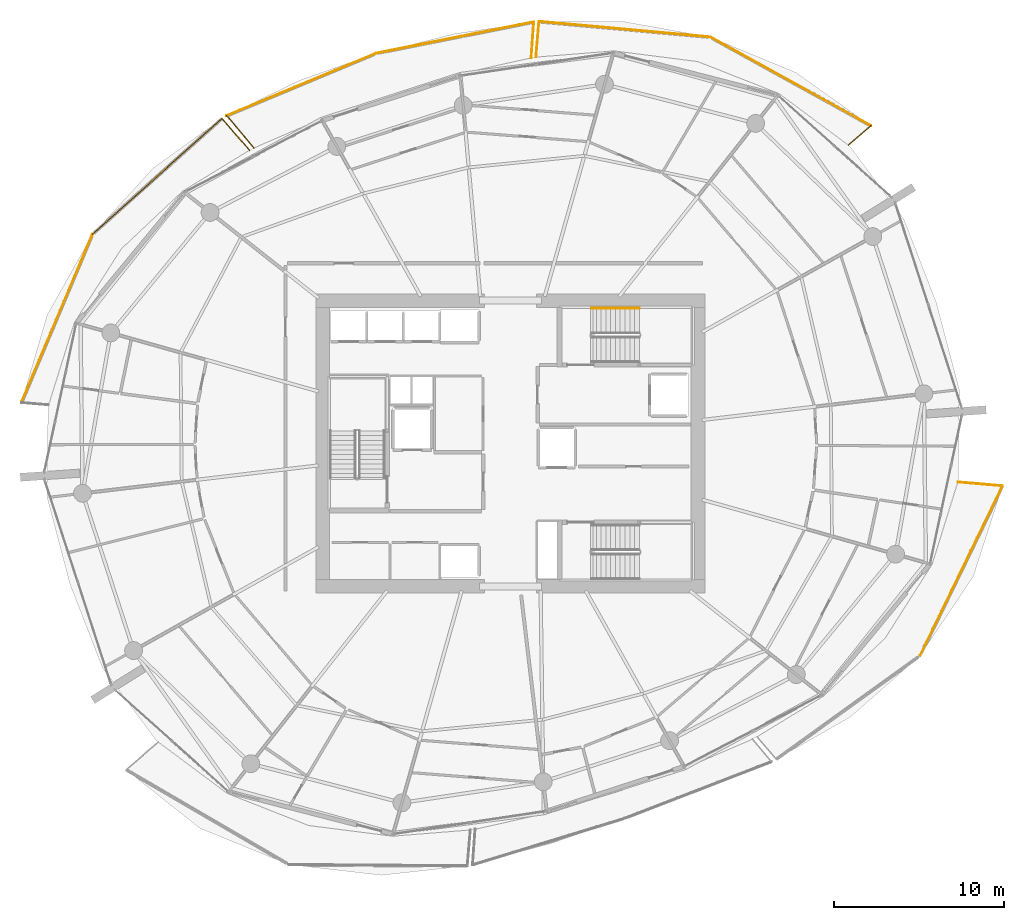
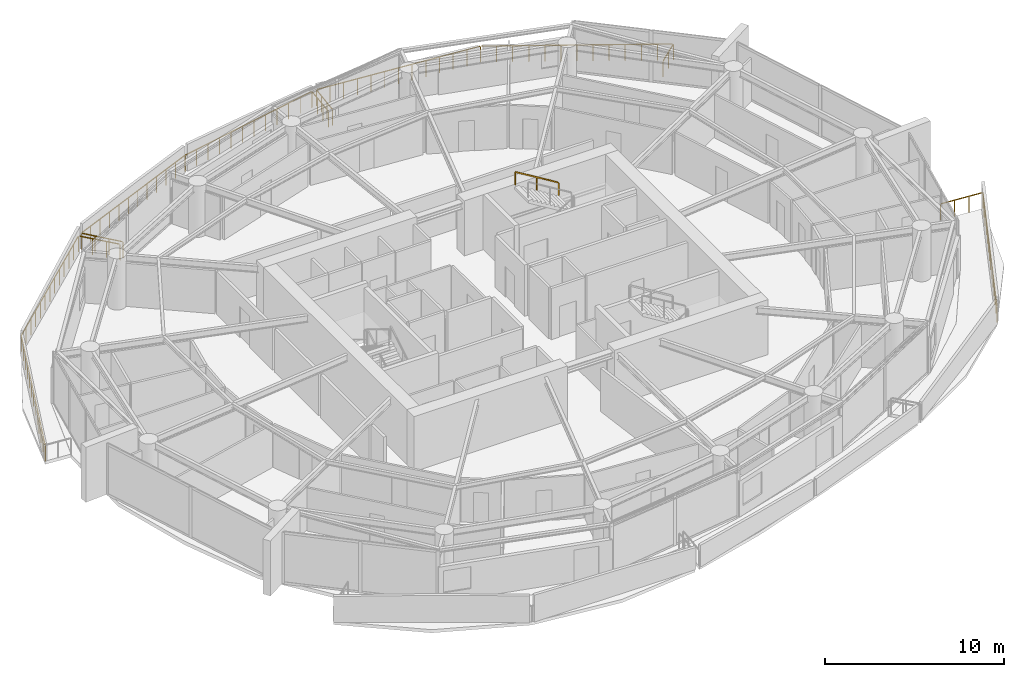
# One storey, part 20 of 20: 14 railings.
"""IFC4 building model written with IfcOpenShell, lengths in metres."""

from ifc_helpers import new_model, si_unit, direction, frame, origin, origin_2d, place, context, subcontext, project, spatial, rectangle, extrude, material, type_object, element, save


model = new_model("IFC4")

# Units and contexts
model_context = context("Model", 3, precision=1e-05, world=origin(), true_north=direction((0.0, 1.0)))
body_context = subcontext(model_context, "Body", "Model", "MODEL_VIEW")
ifc_project = project(units=[si_unit("LENGTHUNIT", "METRE"), si_unit("AREAUNIT", "SQUARE_METRE"), si_unit("VOLUMEUNIT", "CUBIC_METRE"), si_unit("PLANEANGLEUNIT", "RADIAN"), si_unit("MASSUNIT", "GRAM", prefix="KILO")], contexts=[model_context])

# Site, building, storey
site_placement = place(None, origin())
site = spatial("IfcSite", under=ifc_project, at=site_placement, CompositionType="ELEMENT")
building_placement = place(site_placement, origin())
building = spatial("IfcBuilding", under=site, at=building_placement, Name="Kazma Halo Residences", CompositionType="ELEMENT")
storey_placement = place(building_placement, frame((0.0, 0.0, 150.300048828125)))
storey = spatial("IfcBuildingStorey", under=building, at=storey_placement, Name="L37", CompositionType="ELEMENT", Elevation=150.300048828125)

# Railings
ifc_material_1 = material(Name="Aluminium AW-6063 T6 Brushed Cap Rail", Category="aluminium")
railing_type_1 = type_object("IfcRailingType", Name="RLG-BAL-CAP-1120", PredefinedType="BALUSTRADE", material=ifc_material_1)
railing_1_placement = place(storey_placement, frame((68.294677734375, 59.548583984375, 0.0)))
element("IfcRailing", 1, at=railing_1_placement, inside=storey, type_object=railing_type_1, Name="L37 NE wave balcony guard 1", PredefinedType="BALUSTRADE", context=body_context, shape_type="SweptSolid", body=[
    extrude(rectangle(XDim=0.050048828125, YDim=0.050048828125, at=origin_2d()), frame((0.0322265625, 0.02783203125, 1.09521484375), z_axis=(0.756363172452, 0.654151932932, 0.0), x_axis=(-0.654151932932, 0.756363172452, 0.0)), (0.0, 0.0, 1.0), 1.65869140625),
    extrude(rectangle(XDim=0.0400390625, YDim=0.0400390625, at=origin_2d()), origin(), (0.0, 0.0, 1.0), 1.05810546875),
    extrude(rectangle(XDim=0.0400390625, YDim=0.0400390625, at=origin_2d()), frame((0.659423828125, 0.5703125, 0.0)), (0.0, 0.0, 1.0), 1.05810546875),
    extrude(rectangle(XDim=0.0400390625, YDim=0.0400390625, at=origin_2d()), frame((1.31884765625, 1.140625, 0.0)), (0.0, 0.0, 1.0), 1.05810546875),
])
railing_2_placement = place(storey_placement, frame((69.613525390625, 60.689208984375, 0.0)))
element("IfcRailing", 2, at=railing_2_placement, inside=storey, type_object=railing_type_1, Name="L37 NE wave balcony guard 2", PredefinedType="BALUSTRADE", context=body_context, shape_type="SweptSolid", body=[
    extrude(rectangle(XDim=0.050048828125, YDim=0.050048828125, at=origin_2d()), frame((-0.037353515625, 0.0205078125, 1.09521484375), z_axis=(-0.875455426186, 0.483298868984, 0.0), x_axis=(-0.483298868984, -0.875455426186, 0.0)), (0.0, 0.0, 1.0), 10.69384765625),
    extrude(rectangle(XDim=0.0400390625, YDim=0.0400390625, at=origin_2d()), origin(), (0.0, 0.0, 1.0), 1.05810546875),
    extrude(rectangle(XDim=0.0400390625, YDim=0.0400390625, at=origin_2d()), frame((-0.786376953125, 0.43408203125, 0.0)), (0.0, 0.0, 1.0), 1.05810546875),
    extrude(rectangle(XDim=0.0400390625, YDim=0.0400390625, at=origin_2d()), frame((-1.57275390625, 0.8681640625, 0.0)), (0.0, 0.0, 1.0), 1.05810546875),
    extrude(rectangle(XDim=0.0400390625, YDim=0.0400390625, at=origin_2d()), frame((-2.359130859375, 1.30224609375, 0.0)), (0.0, 0.0, 1.0), 1.05810546875),
    extrude(rectangle(XDim=0.0400390625, YDim=0.0400390625, at=origin_2d()), frame((-3.1455078125, 1.736572265625, 0.0)), (0.0, 0.0, 1.0), 1.05810546875),
    extrude(rectangle(XDim=0.0400390625, YDim=0.0400390625, at=origin_2d()), frame((-3.931884765625, 2.170654296875, 0.0)), (0.0, 0.0, 1.0), 1.05810546875),
    extrude(rectangle(XDim=0.0400390625, YDim=0.0400390625, at=origin_2d()), frame((-4.71826171875, 2.604736328125, 0.0)), (0.0, 0.0, 1.0), 1.05810546875),
    extrude(rectangle(XDim=0.0400390625, YDim=0.0400390625, at=origin_2d()), frame((-5.504638671875, 3.038818359375, 0.0)), (0.0, 0.0, 1.0), 1.05810546875),
    extrude(rectangle(XDim=0.0400390625, YDim=0.0400390625, at=origin_2d()), frame((-6.291015625, 3.472900390625, 0.0)), (0.0, 0.0, 1.0), 1.05810546875),
    extrude(rectangle(XDim=0.0400390625, YDim=0.0400390625, at=origin_2d()), frame((-7.077392578125, 3.9072265625, 0.0)), (0.0, 0.0, 1.0), 1.05810546875),
    extrude(rectangle(XDim=0.0400390625, YDim=0.0400390625, at=origin_2d()), frame((-7.86376953125, 4.34130859375, 0.0)), (0.0, 0.0, 1.0), 1.05810546875),
    extrude(rectangle(XDim=0.0400390625, YDim=0.0400390625, at=origin_2d()), frame((-8.650146484375, 4.775390625, 0.0)), (0.0, 0.0, 1.0), 1.05810546875),
    extrude(rectangle(XDim=0.0400390625, YDim=0.0400390625, at=origin_2d()), frame((-9.4365234375, 5.20947265625, 0.0)), (0.0, 0.0, 1.0), 1.05810546875),
])
railing_3_placement = place(storey_placement, frame((60.177001953125, 65.898681640625, 0.0)))
element("IfcRailing", 3, at=railing_3_placement, inside=storey, type_object=railing_type_1, Name="L37 NE wave balcony guard 3", PredefinedType="BALUSTRADE", context=body_context, shape_type="SweptSolid", body=[
    extrude(rectangle(XDim=0.050048828125, YDim=0.050048828125, at=origin_2d()), frame((-0.04248046875, 0.00390625, 1.09521484375), z_axis=(-0.995911390997, 0.090335492925, 0.0), x_axis=(-0.090335492925, -0.995911390997, 0.0)), (0.0, 0.0, 1.0), 10.028076171875),
    extrude(rectangle(XDim=0.0400390625, YDim=0.0400390625, at=origin_2d()), origin(), (0.0, 0.0, 1.0), 1.05810546875),
    extrude(rectangle(XDim=0.0400390625, YDim=0.0400390625, at=origin_2d()), frame((-0.83935546875, 0.076171875, 0.0)), (0.0, 0.0, 1.0), 1.05810546875),
    extrude(rectangle(XDim=0.0400390625, YDim=0.0400390625, at=origin_2d()), frame((-1.6787109375, 0.15234375, 0.0)), (0.0, 0.0, 1.0), 1.05810546875),
    extrude(rectangle(XDim=0.0400390625, YDim=0.0400390625, at=origin_2d()), frame((-2.51806640625, 0.228515625, 0.0)), (0.0, 0.0, 1.0), 1.05810546875),
    extrude(rectangle(XDim=0.0400390625, YDim=0.0400390625, at=origin_2d()), frame((-3.357177734375, 0.304443359375, 0.0)), (0.0, 0.0, 1.0), 1.05810546875),
    extrude(rectangle(XDim=0.0400390625, YDim=0.0400390625, at=origin_2d()), frame((-4.196533203125, 0.380615234375, 0.0)), (0.0, 0.0, 1.0), 1.05810546875),
    extrude(rectangle(XDim=0.0400390625, YDim=0.0400390625, at=origin_2d()), frame((-5.035888671875, 0.456787109375, 0.0)), (0.0, 0.0, 1.0), 1.05810546875),
    extrude(rectangle(XDim=0.0400390625, YDim=0.0400390625, at=origin_2d()), frame((-5.875244140625, 0.532958984375, 0.0)), (0.0, 0.0, 1.0), 1.05810546875),
    extrude(rectangle(XDim=0.0400390625, YDim=0.0400390625, at=origin_2d()), frame((-6.714599609375, 0.609130859375, 0.0)), (0.0, 0.0, 1.0), 1.05810546875),
    extrude(rectangle(XDim=0.0400390625, YDim=0.0400390625, at=origin_2d()), frame((-7.5537109375, 0.68505859375, 0.0)), (0.0, 0.0, 1.0), 1.05810546875),
    extrude(rectangle(XDim=0.0400390625, YDim=0.0400390625, at=origin_2d()), frame((-8.39306640625, 0.76123046875, 0.0)), (0.0, 0.0, 1.0), 1.05810546875),
    extrude(rectangle(XDim=0.0400390625, YDim=0.0400390625, at=origin_2d()), frame((-9.232421875, 0.83740234375, 0.0)), (0.0, 0.0, 1.0), 1.05810546875),
    extrude(rectangle(XDim=0.0400390625, YDim=0.0400390625, at=origin_2d()), frame((-10.07177734375, 0.91357421875, 0.0)), (0.0, 0.0, 1.0), 1.05810546875),
])
railing_4_placement = place(storey_placement, frame((50.105224609375, 66.812255859375, 0.0)))
element("IfcRailing", 4, at=railing_4_placement, inside=storey, type_object=railing_type_1, Name="L37 NE wave balcony guard 4", PredefinedType="BALUSTRADE", context=body_context, shape_type="SweptSolid", body=[
    extrude(rectangle(XDim=0.050048828125, YDim=0.050048828125, at=origin_2d()), frame((-0.003662109375, -0.04248046875, 1.09521484375), z_axis=(-0.084431334239, -0.99642929995, 0.0), x_axis=(0.99642929995, -0.084431334239, 0.0)), (0.0, 0.0, 1.0), 2.01416015625),
    extrude(rectangle(XDim=0.0400390625, YDim=0.0400390625, at=origin_2d()), origin(), (0.0, 0.0, 1.0), 1.05810546875),
    extrude(rectangle(XDim=0.0400390625, YDim=0.0400390625, at=origin_2d()), frame((-0.05908203125, -0.697265625, 0.0)), (0.0, 0.0, 1.0), 1.05810546875),
    extrude(rectangle(XDim=0.0400390625, YDim=0.0400390625, at=origin_2d()), frame((-0.1181640625, -1.39453125, 0.0)), (0.0, 0.0, 1.0), 1.05810546875),
    extrude(rectangle(XDim=0.0400390625, YDim=0.0400390625, at=origin_2d()), frame((-0.17724609375, -2.091796875, 0.0)), (0.0, 0.0, 1.0), 1.05810546875),
])
railing_5_placement = place(storey_placement, frame((49.6455078125, 64.67822265625, 0.0)))
element("IfcRailing", 5, at=railing_5_placement, inside=storey, type_object=railing_type_1, Name="L37 NNW wave balcony guard 1", PredefinedType="BALUSTRADE", context=body_context, shape_type="SweptSolid", body=[
    extrude(rectangle(XDim=0.050048828125, YDim=0.050048828125, at=origin_2d()), frame((0.003173828125, 0.04248046875, 1.09521484375), z_axis=(0.0724124574, 0.997374772096, 0.0), x_axis=(-0.997374772096, 0.0724124574, 0.0)), (0.0, 0.0, 1.0), 2.02880859375),
    extrude(rectangle(XDim=0.0400390625, YDim=0.0400390625, at=origin_2d()), origin(), (0.0, 0.0, 1.0), 1.05810546875),
    extrude(rectangle(XDim=0.0400390625, YDim=0.0400390625, at=origin_2d()), frame((0.051025390625, 0.702880859375, 0.0)), (0.0, 0.0, 1.0), 1.05810546875),
    extrude(rectangle(XDim=0.0400390625, YDim=0.0400390625, at=origin_2d()), frame((0.10205078125, 1.405517578125, 0.0)), (0.0, 0.0, 1.0), 1.05810546875),
    extrude(rectangle(XDim=0.0400390625, YDim=0.0400390625, at=origin_2d()), frame((0.153076171875, 2.1083984375, 0.0)), (0.0, 0.0, 1.0), 1.05810546875),
])
railing_6_placement = place(storey_placement, frame((49.798583984375, 66.78662109375, 0.0)))
element("IfcRailing", 6, at=railing_6_placement, inside=storey, type_object=railing_type_1, Name="L37 NNW wave balcony guard 2", PredefinedType="BALUSTRADE", context=body_context, shape_type="SweptSolid", body=[
    extrude(rectangle(XDim=0.050048828125, YDim=0.050048828125, at=origin_2d()), frame((-0.041748046875, -0.00830078125, 1.09521484375), z_axis=(-0.980809889585, -0.194966562497, 0.0), x_axis=(0.194966562497, -0.980809889585, 0.0)), (0.0, 0.0, 1.0), 9.350341796875),
    extrude(rectangle(XDim=0.0400390625, YDim=0.0400390625, at=origin_2d()), origin(), (0.0, 0.0, 1.0), 1.05810546875),
    extrude(rectangle(XDim=0.0400390625, YDim=0.0400390625, at=origin_2d()), frame((-0.84130859375, -0.167236328125, 0.0)), (0.0, 0.0, 1.0), 1.05810546875),
    extrude(rectangle(XDim=0.0400390625, YDim=0.0400390625, at=origin_2d()), frame((-1.6826171875, -0.33447265625, 0.0)), (0.0, 0.0, 1.0), 1.05810546875),
    extrude(rectangle(XDim=0.0400390625, YDim=0.0400390625, at=origin_2d()), frame((-2.52392578125, -0.501708984375, 0.0)), (0.0, 0.0, 1.0), 1.05810546875),
    extrude(rectangle(XDim=0.0400390625, YDim=0.0400390625, at=origin_2d()), frame((-3.365234375, -0.6689453125, 0.0)), (0.0, 0.0, 1.0), 1.05810546875),
    extrude(rectangle(XDim=0.0400390625, YDim=0.0400390625, at=origin_2d()), frame((-4.20654296875, -0.836181640625, 0.0)), (0.0, 0.0, 1.0), 1.05810546875),
    extrude(rectangle(XDim=0.0400390625, YDim=0.0400390625, at=origin_2d()), frame((-5.0478515625, -1.00341796875, 0.0)), (0.0, 0.0, 1.0), 1.05810546875),
    extrude(rectangle(XDim=0.0400390625, YDim=0.0400390625, at=origin_2d()), frame((-5.88916015625, -1.170654296875, 0.0)), (0.0, 0.0, 1.0), 1.05810546875),
    extrude(rectangle(XDim=0.0400390625, YDim=0.0400390625, at=origin_2d()), frame((-6.73046875, -1.337890625, 0.0)), (0.0, 0.0, 1.0), 1.05810546875),
    extrude(rectangle(XDim=0.0400390625, YDim=0.0400390625, at=origin_2d()), frame((-7.57177734375, -1.505126953125, 0.0)), (0.0, 0.0, 1.0), 1.05810546875),
    extrude(rectangle(XDim=0.0400390625, YDim=0.0400390625, at=origin_2d()), frame((-8.4130859375, -1.67236328125, 0.0)), (0.0, 0.0, 1.0), 1.05810546875),
    extrude(rectangle(XDim=0.0400390625, YDim=0.0400390625, at=origin_2d()), frame((-9.25439453125, -1.839599609375, 0.0)), (0.0, 0.0, 1.0), 1.05810546875),
])
railing_7_placement = place(storey_placement, frame((40.544189453125, 64.947021484375, 0.0)))
element("IfcRailing", 7, at=railing_7_placement, inside=storey, type_object=railing_type_1, Name="L37 NNW wave balcony guard 3", PredefinedType="BALUSTRADE", context=body_context, shape_type="SweptSolid", body=[
    extrude(rectangle(XDim=0.050048828125, YDim=0.050048828125, at=origin_2d()), frame((-0.039306640625, -0.016357421875, 1.09521484375), z_axis=(-0.922922375507, -0.384986089084, 0.0), x_axis=(0.384986089084, -0.922922375507, 0.0)), (0.0, 0.0, 1.0), 9.453857421875),
    extrude(rectangle(XDim=0.0400390625, YDim=0.0400390625, at=origin_2d()), origin(), (0.0, 0.0, 1.0), 1.05810546875),
    extrude(rectangle(XDim=0.0400390625, YDim=0.0400390625, at=origin_2d()), frame((-0.80029296875, -0.333740234375, 0.0)), (0.0, 0.0, 1.0), 1.05810546875),
    extrude(rectangle(XDim=0.0400390625, YDim=0.0400390625, at=origin_2d()), frame((-1.6005859375, -0.667724609375, 0.0)), (0.0, 0.0, 1.0), 1.05810546875),
    extrude(rectangle(XDim=0.0400390625, YDim=0.0400390625, at=origin_2d()), frame((-2.401123046875, -1.00146484375, 0.0)), (0.0, 0.0, 1.0), 1.05810546875),
    extrude(rectangle(XDim=0.0400390625, YDim=0.0400390625, at=origin_2d()), frame((-3.201416015625, -1.33544921875, 0.0)), (0.0, 0.0, 1.0), 1.05810546875),
    extrude(rectangle(XDim=0.0400390625, YDim=0.0400390625, at=origin_2d()), frame((-4.001708984375, -1.669189453125, 0.0)), (0.0, 0.0, 1.0), 1.05810546875),
    extrude(rectangle(XDim=0.0400390625, YDim=0.0400390625, at=origin_2d()), frame((-4.802001953125, -2.003173828125, 0.0)), (0.0, 0.0, 1.0), 1.05810546875),
    extrude(rectangle(XDim=0.0400390625, YDim=0.0400390625, at=origin_2d()), frame((-5.602294921875, -2.3369140625, 0.0)), (0.0, 0.0, 1.0), 1.05810546875),
    extrude(rectangle(XDim=0.0400390625, YDim=0.0400390625, at=origin_2d()), frame((-6.402587890625, -2.6708984375, 0.0)), (0.0, 0.0, 1.0), 1.05810546875),
    extrude(rectangle(XDim=0.0400390625, YDim=0.0400390625, at=origin_2d()), frame((-7.203125, -3.004638671875, 0.0)), (0.0, 0.0, 1.0), 1.05810546875),
    extrude(rectangle(XDim=0.0400390625, YDim=0.0400390625, at=origin_2d()), frame((-8.00341796875, -3.338623046875, 0.0)), (0.0, 0.0, 1.0), 1.05810546875),
    extrude(rectangle(XDim=0.0400390625, YDim=0.0400390625, at=origin_2d()), frame((-8.8037109375, -3.67236328125, 0.0)), (0.0, 0.0, 1.0), 1.05810546875),
])
railing_8_placement = place(storey_placement, frame((31.740478515625, 61.274658203125, 0.0)))
element("IfcRailing", 8, at=railing_8_placement, inside=storey, type_object=railing_type_1, Name="L37 NNW wave balcony guard 4", PredefinedType="BALUSTRADE", context=body_context, shape_type="SweptSolid", body=[
    extrude(rectangle(XDim=0.050048828125, YDim=0.050048828125, at=origin_2d()), frame((0.02734375, -0.032470703125, 1.09521484375), z_axis=(0.644793629606, -0.764356706793, 0.0), x_axis=(0.764356706793, 0.644793629606, 0.0)), (0.0, 0.0, 1.0), 2.393798828125),
    extrude(rectangle(XDim=0.0400390625, YDim=0.0400390625, at=origin_2d()), origin(), (0.0, 0.0, 1.0), 1.05810546875),
    extrude(rectangle(XDim=0.0400390625, YDim=0.0400390625, at=origin_2d()), frame((0.53271484375, -0.631591796875, 0.0)), (0.0, 0.0, 1.0), 1.05810546875),
    extrude(rectangle(XDim=0.0400390625, YDim=0.0400390625, at=origin_2d()), frame((1.065673828125, -1.26318359375, 0.0)), (0.0, 0.0, 1.0), 1.05810546875),
    extrude(rectangle(XDim=0.0400390625, YDim=0.0400390625, at=origin_2d()), frame((1.598388671875, -1.894775390625, 0.0)), (0.0, 0.0, 1.0), 1.05810546875),
])
railing_9_placement = place(storey_placement, frame((33.08544921875, 59.248046875, 0.0)))
element("IfcRailing", 9, at=railing_9_placement, inside=storey, type_object=railing_type_1, Name="L37 NW wave balcony guard 1", PredefinedType="BALUSTRADE", context=body_context, shape_type="SweptSolid", body=[
    extrude(rectangle(XDim=0.050048828125, YDim=0.050048828125, at=origin_2d()), frame((-0.02783203125, 0.0322265625, 1.09521484375), z_axis=(-0.654041873085, 0.756458345351, 0.0), x_axis=(-0.756458345351, -0.654041873085, 0.0)), (0.0, 0.0, 1.0), 2.384521484375),
    extrude(rectangle(XDim=0.0400390625, YDim=0.0400390625, at=origin_2d()), origin(), (0.0, 0.0, 1.0), 1.05810546875),
    extrude(rectangle(XDim=0.0400390625, YDim=0.0400390625, at=origin_2d()), frame((-0.538330078125, 0.622802734375, 0.0)), (0.0, 0.0, 1.0), 1.05810546875),
    extrude(rectangle(XDim=0.0400390625, YDim=0.0400390625, at=origin_2d()), frame((-1.076904296875, 1.245361328125, 0.0)), (0.0, 0.0, 1.0), 1.05810546875),
    extrude(rectangle(XDim=0.0400390625, YDim=0.0400390625, at=origin_2d()), frame((-1.615234375, 1.8681640625, 0.0)), (0.0, 0.0, 1.0), 1.05810546875),
])
railing_10_placement = place(storey_placement, frame((31.47021484375, 61.1162109375, 0.0)))
element("IfcRailing", 10, at=railing_10_placement, inside=storey, type_object=railing_type_1, Name="L37 NW wave balcony guard 2", PredefinedType="BALUSTRADE", context=body_context, shape_type="SweptSolid", body=[
    extrude(rectangle(XDim=0.050048828125, YDim=0.050048828125, at=origin_2d()), frame((-0.03173828125, -0.0283203125, 1.09521484375), z_axis=(-0.745534876129, -0.666466614675, 0.0), x_axis=(0.666466614675, -0.745534876129, 0.0)), (0.0, 0.0, 1.0), 10.13525390625),
    extrude(rectangle(XDim=0.0400390625, YDim=0.0400390625, at=origin_2d()), origin(), (0.0, 0.0, 1.0), 1.05810546875),
    extrude(rectangle(XDim=0.0400390625, YDim=0.0400390625, at=origin_2d()), frame((-0.635009765625, -0.567626953125, 0.0)), (0.0, 0.0, 1.0), 1.05810546875),
    extrude(rectangle(XDim=0.0400390625, YDim=0.0400390625, at=origin_2d()), frame((-1.27001953125, -1.13525390625, 0.0)), (0.0, 0.0, 1.0), 1.05810546875),
    extrude(rectangle(XDim=0.0400390625, YDim=0.0400390625, at=origin_2d()), frame((-1.90478515625, -1.702880859375, 0.0)), (0.0, 0.0, 1.0), 1.05810546875),
    extrude(rectangle(XDim=0.0400390625, YDim=0.0400390625, at=origin_2d()), frame((-2.539794921875, -2.2705078125, 0.0)), (0.0, 0.0, 1.0), 1.05810546875),
    extrude(rectangle(XDim=0.0400390625, YDim=0.0400390625, at=origin_2d()), frame((-3.1748046875, -2.838134765625, 0.0)), (0.0, 0.0, 1.0), 1.05810546875),
    extrude(rectangle(XDim=0.0400390625, YDim=0.0400390625, at=origin_2d()), frame((-3.809814453125, -3.40576171875, 0.0)), (0.0, 0.0, 1.0), 1.05810546875),
    extrude(rectangle(XDim=0.0400390625, YDim=0.0400390625, at=origin_2d()), frame((-4.44482421875, -3.973388671875, 0.0)), (0.0, 0.0, 1.0), 1.05810546875),
    extrude(rectangle(XDim=0.0400390625, YDim=0.0400390625, at=origin_2d()), frame((-5.079833984375, -4.541015625, 0.0)), (0.0, 0.0, 1.0), 1.05810546875),
    extrude(rectangle(XDim=0.0400390625, YDim=0.0400390625, at=origin_2d()), frame((-5.71484375, -5.108642578125, 0.0)), (0.0, 0.0, 1.0), 1.05810546875),
    extrude(rectangle(XDim=0.0400390625, YDim=0.0400390625, at=origin_2d()), frame((-6.349609375, -5.67626953125, 0.0)), (0.0, 0.0, 1.0), 1.05810546875),
    extrude(rectangle(XDim=0.0400390625, YDim=0.0400390625, at=origin_2d()), frame((-6.984619140625, -6.243896484375, 0.0)), (0.0, 0.0, 1.0), 1.05810546875),
    extrude(rectangle(XDim=0.0400390625, YDim=0.0400390625, at=origin_2d()), frame((-7.61962890625, -6.8115234375, 0.0)), (0.0, 0.0, 1.0), 1.05810546875),
])
railing_11_placement = place(storey_placement, frame((23.8505859375, 54.3046875, 0.0)))
element("IfcRailing", 11, at=railing_11_placement, inside=storey, type_object=railing_type_1, Name="L37 NW wave balcony guard 3", PredefinedType="BALUSTRADE", context=body_context, shape_type="SweptSolid", body=[
    extrude(rectangle(XDim=0.050048828125, YDim=0.050048828125, at=origin_2d()), frame((-0.0166015625, -0.039306640625, 1.09521484375), z_axis=(-0.388678506604, -0.921373441393, 0.0), x_axis=(0.921373441393, -0.388678506604, 0.0)), (0.0, 0.0, 1.0), 10.660888671875),
    extrude(rectangle(XDim=0.0400390625, YDim=0.0400390625, at=origin_2d()), origin(), (0.0, 0.0, 1.0), 1.05810546875),
    extrude(rectangle(XDim=0.0400390625, YDim=0.0400390625, at=origin_2d()), frame((-0.34814453125, -0.8251953125, 0.0)), (0.0, 0.0, 1.0), 1.05810546875),
    extrude(rectangle(XDim=0.0400390625, YDim=0.0400390625, at=origin_2d()), frame((-0.696044921875, -1.650146484375, 0.0)), (0.0, 0.0, 1.0), 1.05810546875),
    extrude(rectangle(XDim=0.0400390625, YDim=0.0400390625, at=origin_2d()), frame((-1.044189453125, -2.475341796875, 0.0)), (0.0, 0.0, 1.0), 1.05810546875),
    extrude(rectangle(XDim=0.0400390625, YDim=0.0400390625, at=origin_2d()), frame((-1.392333984375, -3.30029296875, 0.0)), (0.0, 0.0, 1.0), 1.05810546875),
    extrude(rectangle(XDim=0.0400390625, YDim=0.0400390625, at=origin_2d()), frame((-1.740234375, -4.12548828125, 0.0)), (0.0, 0.0, 1.0), 1.05810546875),
    extrude(rectangle(XDim=0.0400390625, YDim=0.0400390625, at=origin_2d()), frame((-2.08837890625, -4.95068359375, 0.0)), (0.0, 0.0, 1.0), 1.05810546875),
    extrude(rectangle(XDim=0.0400390625, YDim=0.0400390625, at=origin_2d()), frame((-2.4365234375, -5.775634765625, 0.0)), (0.0, 0.0, 1.0), 1.05810546875),
    extrude(rectangle(XDim=0.0400390625, YDim=0.0400390625, at=origin_2d()), frame((-2.784423828125, -6.600830078125, 0.0)), (0.0, 0.0, 1.0), 1.05810546875),
    extrude(rectangle(XDim=0.0400390625, YDim=0.0400390625, at=origin_2d()), frame((-3.132568359375, -7.42578125, 0.0)), (0.0, 0.0, 1.0), 1.05810546875),
    extrude(rectangle(XDim=0.0400390625, YDim=0.0400390625, at=origin_2d()), frame((-3.480712890625, -8.2509765625, 0.0)), (0.0, 0.0, 1.0), 1.05810546875),
    extrude(rectangle(XDim=0.0400390625, YDim=0.0400390625, at=origin_2d()), frame((-3.82861328125, -9.075927734375, 0.0)), (0.0, 0.0, 1.0), 1.05810546875),
    extrude(rectangle(XDim=0.0400390625, YDim=0.0400390625, at=origin_2d()), frame((-4.1767578125, -9.901123046875, 0.0)), (0.0, 0.0, 1.0), 1.05810546875),
])
railing_12_placement = place(storey_placement, frame((72.50390625, 29.5146484375, 0.0)))
element("IfcRailing", 12, at=railing_12_placement, inside=storey, type_object=railing_type_1, Name="L37 SE wave balcony guard 3", PredefinedType="BALUSTRADE", context=body_context, shape_type="SweptSolid", body=[
    extrude(rectangle(XDim=0.050048828125, YDim=0.050048828125, at=origin_2d()), frame((0.0185546875, 0.038330078125, 1.09521484375), z_axis=(0.437211218284, 0.8993588553, 0.0), x_axis=(-0.8993588553, 0.437211218284, 0.0)), (0.0, 0.0, 1.0), 11.027099609375),
    extrude(rectangle(XDim=0.0400390625, YDim=0.0400390625, at=origin_2d()), origin(), (0.0, 0.0, 1.0), 1.05810546875),
    extrude(rectangle(XDim=0.0400390625, YDim=0.0400390625, at=origin_2d()), frame((0.373779296875, 0.768798828125, 0.0)), (0.0, 0.0, 1.0), 1.05810546875),
    extrude(rectangle(XDim=0.0400390625, YDim=0.0400390625, at=origin_2d()), frame((0.74755859375, 1.53759765625, 0.0)), (0.0, 0.0, 1.0), 1.05810546875),
    extrude(rectangle(XDim=0.0400390625, YDim=0.0400390625, at=origin_2d()), frame((1.12109375, 2.306396484375, 0.0)), (0.0, 0.0, 1.0), 1.05810546875),
    extrude(rectangle(XDim=0.0400390625, YDim=0.0400390625, at=origin_2d()), frame((1.494873046875, 3.074951171875, 0.0)), (0.0, 0.0, 1.0), 1.05810546875),
    extrude(rectangle(XDim=0.0400390625, YDim=0.0400390625, at=origin_2d()), frame((1.86865234375, 3.84375, 0.0)), (0.0, 0.0, 1.0), 1.05810546875),
    extrude(rectangle(XDim=0.0400390625, YDim=0.0400390625, at=origin_2d()), frame((2.242431640625, 4.612548828125, 0.0)), (0.0, 0.0, 1.0), 1.05810546875),
    extrude(rectangle(XDim=0.0400390625, YDim=0.0400390625, at=origin_2d()), frame((2.615966796875, 5.38134765625, 0.0)), (0.0, 0.0, 1.0), 1.05810546875),
    extrude(rectangle(XDim=0.0400390625, YDim=0.0400390625, at=origin_2d()), frame((2.98974609375, 6.150146484375, 0.0)), (0.0, 0.0, 1.0), 1.05810546875),
    extrude(rectangle(XDim=0.0400390625, YDim=0.0400390625, at=origin_2d()), frame((3.363525390625, 6.9189453125, 0.0)), (0.0, 0.0, 1.0), 1.05810546875),
    extrude(rectangle(XDim=0.0400390625, YDim=0.0400390625, at=origin_2d()), frame((3.7373046875, 7.6875, 0.0)), (0.0, 0.0, 1.0), 1.05810546875),
    extrude(rectangle(XDim=0.0400390625, YDim=0.0400390625, at=origin_2d()), frame((4.11083984375, 8.456298828125, 0.0)), (0.0, 0.0, 1.0), 1.05810546875),
    extrude(rectangle(XDim=0.0400390625, YDim=0.0400390625, at=origin_2d()), frame((4.484619140625, 9.22509765625, 0.0)), (0.0, 0.0, 1.0), 1.05810546875),
    extrude(rectangle(XDim=0.0400390625, YDim=0.0400390625, at=origin_2d()), frame((4.8583984375, 9.993896484375, 0.0)), (0.0, 0.0, 1.0), 1.05810546875),
])
railing_13_placement = place(storey_placement, frame((77.3623046875, 39.508544921875, 0.0)))
element("IfcRailing", 13, at=railing_13_placement, inside=storey, type_object=railing_type_1, Name="L37 SE wave balcony guard 4", PredefinedType="BALUSTRADE", context=body_context, shape_type="SweptSolid", body=[
    extrude(rectangle(XDim=0.050048828125, YDim=0.050048828125, at=origin_2d()), frame((-0.04248046875, 0.003662109375, 1.09521484375), z_axis=(-0.996416946767, 0.084576995667, 0.0), x_axis=(-0.084576995667, -0.996416946767, 0.0)), (0.0, 0.0, 1.0), 2.55322265625),
    extrude(rectangle(XDim=0.0400390625, YDim=0.0400390625, at=origin_2d()), origin(), (0.0, 0.0, 1.0), 1.05810546875),
    extrude(rectangle(XDim=0.0400390625, YDim=0.0400390625, at=origin_2d()), frame((-0.876220703125, 0.074462890625, 0.0)), (0.0, 0.0, 1.0), 1.05810546875),
    extrude(rectangle(XDim=0.0400390625, YDim=0.0400390625, at=origin_2d()), frame((-1.752685546875, 0.148681640625, 0.0)), (0.0, 0.0, 1.0), 1.05810546875),
    extrude(rectangle(XDim=0.0400390625, YDim=0.0400390625, at=origin_2d()), frame((-2.62890625, 0.22314453125, 0.0)), (0.0, 0.0, 1.0), 1.05810546875),
])
ifc_material_2 = material(Name="Brushed Stainless Steel", Category="steel")
railing_type_2 = type_object("IfcRailingType", Name="RLG-STAIR-HND-900", PredefinedType="HANDRAIL", material=ifc_material_2)
railing_14_placement = place(storey_placement, frame((56.0, 49.949951171875, 2.04541015625)))
element("IfcRailing", 14, at=railing_14_placement, inside=storey, type_object=railing_type_2, Name="L37 ST-02 stair handrail 2", PredefinedType="HANDRAIL", context=body_context, shape_type="SweptSolid", body=[
    extrude(rectangle(XDim=0.050048828125, YDim=0.050048828125, at=origin_2d()), frame((-0.036376953125, 0.0, 0.89697265625), z_axis=(-0.854169791009, 0.0, 0.51999420009), x_axis=(0.0, -1.0, 0.0)), (0.0, 0.0, 1.0), 3.193115234375),
    extrude(rectangle(XDim=0.0400390625, YDim=0.0400390625, at=origin_2d()), origin(), (0.0, 0.0, 1.0), 0.837890625),
    extrude(rectangle(XDim=0.0400390625, YDim=0.0400390625, at=origin_2d()), frame((-1.39990234375, 0.0, 0.852294921875)), (0.0, 0.0, 1.0), 0.837890625),
    extrude(rectangle(XDim=0.0400390625, YDim=0.0400390625, at=origin_2d()), frame((-2.800048828125, 0.0, 1.70458984375)), (0.0, 0.0, 1.0), 0.837890625),
])

save(model, "model.ifc")
